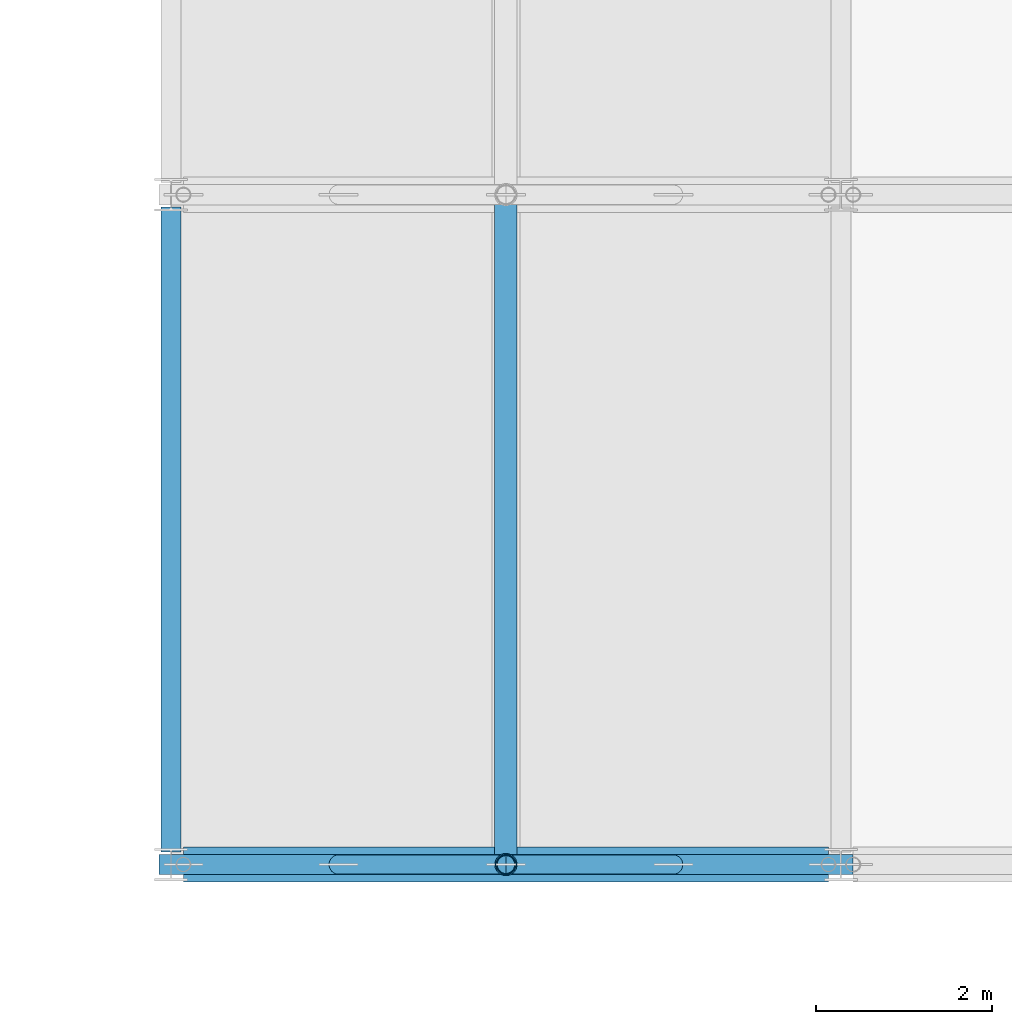
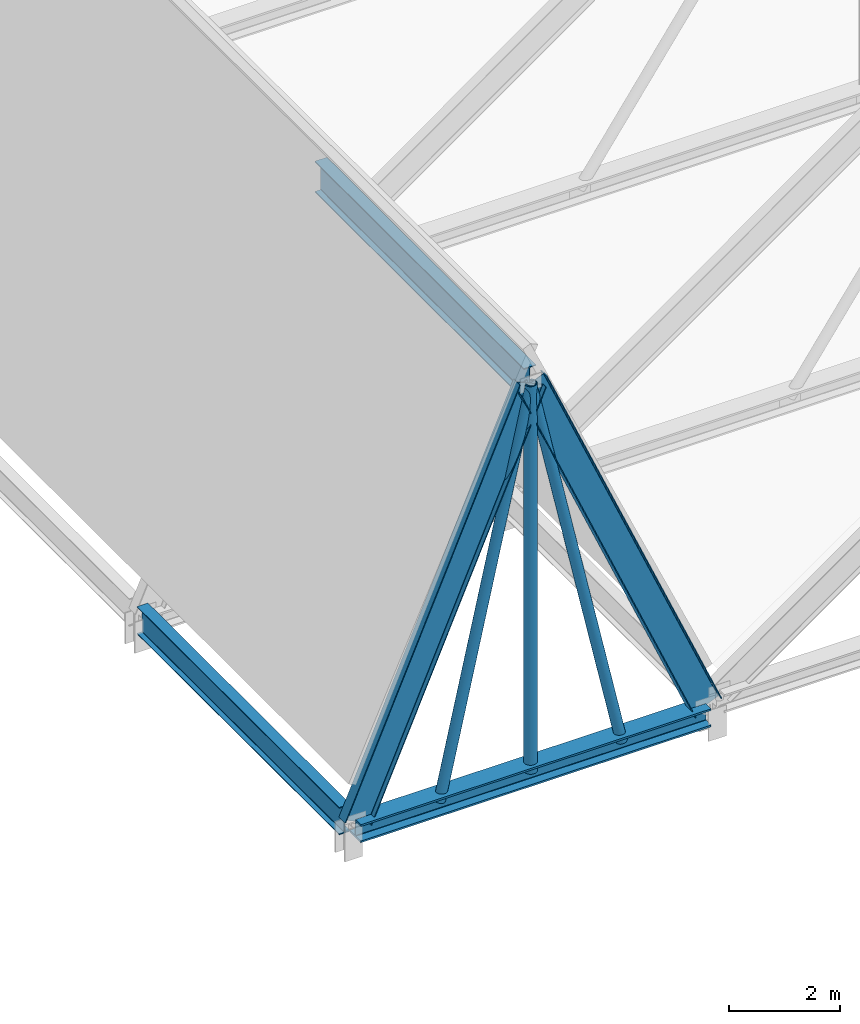
# One storey, part 43 of 100: 4 beams, 4 members.
"""IFC4 building model written with IfcOpenShell, lengths in metres."""

import ifcopenshell
import ifcopenshell.guid

model = None  # the IFC model being written
_history = None  # IfcOwnerHistory: only IFC2X3 demands one
_inside = {}  # id of a spatial element -> (the spatial element, [elements in it])
_under = {}  # id of a project, library or spatial element -> (it, [spatial elements below it])
_declared = {}  # id of a project -> (the project, [libraries it declares])
_typed = {}  # id of a type object -> (the type object, [elements of that type])
_made_of = {}  # id of a material, layer set ... -> (it, [elements and type objects made of it])


def new_model(schema):
    """Start an empty IFC model of exactly this schema.

    Asked for "IFC4X3", IfcOpenShell would pick the latest addendum, in which some entities
    have other attributes; the version numbers below select the first issue.
    IFC2X3 requires an IfcOwnerHistory on every rooted entity: one is made here for all.
    """
    global model, _history
    if schema == "IFC4X3":
        model = ifcopenshell.file(schema_version=(4, 3, 0, 0))
    else:
        model = ifcopenshell.file(schema=schema)
    _inside.clear()
    _under.clear()
    _declared.clear()
    _typed.clear()
    _made_of.clear()
    _history = None
    if model.schema == "IFC2X3":
        org = make("IfcOrganization", Name="unknown")
        user = make(
            "IfcPersonAndOrganization",
            ThePerson=make("IfcPerson", FamilyName="unknown"),
            TheOrganization=org,
        )
        app = make(
            "IfcApplication",
            ApplicationDeveloper=org,
            Version="unknown",
            ApplicationFullName="unknown",
            ApplicationIdentifier="unknown",
        )
        _history = make(
            "IfcOwnerHistory",
            OwningUser=user,
            OwningApplication=app,
            ChangeAction="ADDED",
            CreationDate=0,
        )
    return model


def make(cls, **values):
    """One entity of the class cls with the attributes given. An attribute that is None is left unset."""
    return model.create_entity(
        cls, **{name: value for name, value in values.items() if value is not None}
    )


def rooted(cls, **values):
    """An entity with a GlobalId (a new one), such as an element, a storey or a relation."""
    return make(cls, GlobalId=ifcopenshell.guid.new(), OwnerHistory=_history, **values)


def si_unit(unit_type, name, prefix=None):
    """IfcSIUnit, for example si_unit("LENGTHUNIT", "METRE", prefix="MILLI")."""
    return make("IfcSIUnit", UnitType=unit_type, Prefix=prefix, Name=name)


def assignment(units):
    """IfcUnitAssignment: the units of a project."""
    return None if units is None else make("IfcUnitAssignment", Units=units)


def point(xyz):
    """IfcCartesianPoint."""
    return None if xyz is None else make("IfcCartesianPoint", Coordinates=xyz)


def direction(xyz):
    """IfcDirection."""
    return None if xyz is None else make("IfcDirection", DirectionRatios=xyz)


def frame(location, z_axis=None, x_axis=None):
    """IfcAxis2Placement3D, a coordinate frame: its origin and axes. An axis left out is left unset."""
    return make(
        "IfcAxis2Placement3D",
        Location=point(location),
        Axis=direction(z_axis),
        RefDirection=direction(x_axis),
    )


def frame_2d(location, x_axis=None):
    """IfcAxis2Placement2D, a coordinate frame in the plane: its origin and x axis."""
    return make(
        "IfcAxis2Placement2D", Location=point(location), RefDirection=direction(x_axis)
    )


def origin():
    """The frame at (0, 0, 0) with its axes left unset."""
    return frame((0.0, 0.0, 0.0))


def origin_2d():
    """The frame at (0, 0) in the plane with its x axis left unset."""
    return frame_2d((0.0, 0.0))


def place(relative_to, where):
    """IfcLocalPlacement: puts the frame where relative to a parent placement (None: the world)."""
    return make(
        "IfcLocalPlacement", PlacementRelTo=relative_to, RelativePlacement=where
    )


def context(
    kind, dimensions, precision=None, world=None, true_north=None, identifier=None
):
    """IfcGeometricRepresentationContext, for example the 3D "Model" context."""
    return make(
        "IfcGeometricRepresentationContext",
        ContextIdentifier=identifier,
        ContextType=kind,
        CoordinateSpaceDimension=dimensions,
        Precision=precision,
        WorldCoordinateSystem=world,
        TrueNorth=true_north,
    )


def subcontext(parent, identifier, kind, view, scale=None):
    """IfcGeometricRepresentationSubContext, for example "Body" below "Model"."""
    return make(
        "IfcGeometricRepresentationSubContext",
        ContextIdentifier=identifier,
        ContextType=kind,
        ParentContext=parent,
        TargetScale=scale,
        TargetView=view,
    )


def project(units=None, contexts=None):
    """IfcProject with its units and contexts."""
    return rooted(
        "IfcProject",
        Name="project",
        RepresentationContexts=contexts,
        UnitsInContext=assignment(units),
    )


def spatial(cls, under=None, at=None, **own):
    """A site, building, storey or space (cls), placed at a placement, below another one or the project."""
    s = rooted(cls, ObjectPlacement=at, **own)
    if under is not None:
        _under.setdefault(under.id(), (under, []))[1].append(s)
    return s


def profile(cls, at=None, kind="AREA", **sizes):
    """A parametric profile (cls). Its sizes go by their IFC names, for example OverallWidth=200.0."""
    return make(cls, ProfileType=kind, Position=at, **sizes)


def hollow_circle(**sizes):
    """IfcCircleHollowProfileDef."""
    return profile("IfcCircleHollowProfileDef", **sizes)


def i_section(**sizes):
    """IfcIShapeProfileDef."""
    return profile("IfcIShapeProfileDef", **sizes)


def extrude(swept, where, along, depth):
    """IfcExtrudedAreaSolid: the profile swept, set in the frame where, extruded along a direction by depth."""
    return make(
        "IfcExtrudedAreaSolid",
        SweptArea=swept,
        Position=where,
        ExtrudedDirection=direction(along),
        Depth=depth,
    )


def shape(context_of_items, identifier, shape_type, items):
    """IfcShapeRepresentation: the items that make up one representation, for example the "Body"."""
    return make(
        "IfcShapeRepresentation",
        ContextOfItems=context_of_items,
        RepresentationIdentifier=identifier,
        RepresentationType=shape_type,
        Items=items,
    )


def material(Name=None, Category=None):
    """IfcMaterial."""
    return make("IfcMaterial", Name=Name, Category=Category)


def material_profile(
    of_material, cross_section, Name=None, Category=None, Priority=None
):
    """IfcMaterialProfile: a cross section and its material."""
    return make(
        "IfcMaterialProfile",
        Name=Name,
        Material=of_material,
        Profile=cross_section,
        Priority=Priority,
        Category=Category,
    )


def profile_set(profiles, Name=None, composite=None):
    """IfcMaterialProfileSet."""
    return make(
        "IfcMaterialProfileSet",
        Name=Name,
        MaterialProfiles=profiles,
        CompositeProfile=composite,
    )


def made_of(thing, what):
    """Note that an element or type object is made of a material, layer set ...; save() writes the relation."""
    if what is not None:
        _made_of.setdefault(what.id(), (what, []))[1].append(thing)
    return thing


def type_object(cls, material=None, **own):
    """A type object (cls), such as IfcWallType, which elements share."""
    return made_of(rooted(cls, **own), material)


def element(
    cls,
    number,
    at=None,
    inside=None,
    cuts=None,
    type_object=None,
    material=None,
    context=None,
    identifier="Body",
    shape_type=None,
    held_by="IfcProductDefinitionShape",
    body=None,
    shapes=None,
    **own,
):
    """One element of the class cls, such as IfcWall. Its Tag is "e" and its number.

    at: its placement. inside: the storey or other place that contains it. cuts: it is an
    opening in that element (IfcRelVoidsElement). A single representation is given by context,
    identifier, shape_type and body (its items); several are given by shapes. held_by: the class
    of the entity that holds the representations. save() writes the other relations.
    """
    e = rooted(cls, Tag="e%d" % number, ObjectPlacement=at, **own)
    if body is not None:
        shapes = [shape(context, identifier, shape_type, body)]
    if shapes is not None:
        e.Representation = make(held_by, Representations=shapes)
    if inside is not None:
        _inside.setdefault(inside.id(), (inside, []))[1].append(e)
    if cuts is not None:
        rooted(
            "IfcRelVoidsElement", RelatingBuildingElement=cuts, RelatedOpeningElement=e
        )
    if type_object is not None:
        _typed.setdefault(type_object.id(), (type_object, []))[1].append(e)
    return made_of(e, material)


def aggregate(whole, parts):
    """IfcRelAggregates: a whole, such as a stair, and the parts it consists of."""
    return rooted("IfcRelAggregates", RelatingObject=whole, RelatedObjects=parts)


def save(model, path):
    """Write the relations noted so far, then the file.

    IfcRelAggregates (storeys below a building ...), IfcRelContainedInSpatialStructure (elements
    in a storey), IfcRelDefinesByType, IfcRelAssociatesMaterial and IfcRelDeclares: one each for
    every whole, place, type object, material and project.
    """
    for whole, parts in _under.values():
        aggregate(whole, parts)
    for where, things in _inside.values():
        rooted(
            "IfcRelContainedInSpatialStructure",
            RelatedElements=things,
            RelatingStructure=where,
        )
    for kind, things in _typed.values():
        rooted("IfcRelDefinesByType", RelatedObjects=things, RelatingType=kind)
    for what, things in _made_of.values():
        rooted("IfcRelAssociatesMaterial", RelatedObjects=things, RelatingMaterial=what)
    for by, libraries in _declared.values():
        rooted("IfcRelDeclares", RelatingContext=by, RelatedDefinitions=libraries)
    model.write(path)


model = new_model("IFC4")

# Units and contexts
model_context = context("Model", 3, precision=1e-05, world=origin(), true_north=direction((0.0, 1.0)))
body_context = subcontext(model_context, "Body", "Model", "MODEL_VIEW")
ifc_project = project(units=[si_unit("LENGTHUNIT", "METRE"), si_unit("AREAUNIT", "SQUARE_METRE"), si_unit("VOLUMEUNIT", "CUBIC_METRE"), si_unit("PLANEANGLEUNIT", "RADIAN"), si_unit("MASSUNIT", "GRAM", prefix="KILO")], contexts=[model_context])

# Site, building, storey
site_placement = place(None, origin())
site = spatial("IfcSite", under=ifc_project, at=site_placement, CompositionType="ELEMENT")
building_placement = place(site_placement, origin())
building = spatial("IfcBuilding", under=site, at=building_placement, Name="Zulena Civic Courthouse", CompositionType="ELEMENT")
storey_placement = place(building_placement, frame((0.0, 0.0, 20.39990234375)))
storey = spatial("IfcBuildingStorey", under=building, at=storey_placement, Name="L04", CompositionType="ELEMENT", Elevation=20.39990234375)

# Member
ifc_material_1 = material(Name="Steel ASTM A992 Grade 50", Category="steel")
ifc_material_profile_1 = material_profile(ifc_material_1, i_section(OverallWidth=0.40087890625, OverallDepth=0.39892578125, WebThickness=0.02490234375, FlangeThickness=0.03955078125, FilletRadius=0.01513671875, at=origin_2d()), Name="W14X211")
ifc_profile_set_1 = profile_set([ifc_material_profile_1], Name="Steel ASTM A992 Grade 50")
member_type_1 = type_object("IfcMemberType", Name="Chord_W14X211", PredefinedType="CHORD", material=ifc_profile_set_1)
member_1_placement = place(storey_placement, frame((124.5400390625, 0.0, 0.325439453125), z_axis=(1.0, 0.0, 0.0), x_axis=(0.0, 1.0, 0.0)))
element("IfcMember", 1, at=member_1_placement, inside=storey, type_object=member_type_1, Name="mem:fold:tie:05:0.0", PredefinedType="CHORD", context=body_context, shape_type="SweptSolid", body=[
    extrude(i_section(OverallWidth=0.40087890625, OverallDepth=0.39892578125, WebThickness=0.02490234375, FlangeThickness=0.03955078125, FilletRadius=0.01513671875, at=origin_2d()), origin(), (0.0, 0.0, 1.0), 7.320068359375),
])

# Beams
ifc_material_profile_2 = material_profile(ifc_material_1, i_section(OverallWidth=0.22802734375, OverallDepth=0.60693359375, WebThickness=0.01123046875, FlangeThickness=0.017333984375, FilletRadius=0.0126953125, at=origin_2d()), Name="W24X76")
ifc_profile_set_2 = profile_set([ifc_material_profile_2], Name="Steel ASTM A992 Grade 50")
beam_type_1 = type_object("IfcBeamType", Name="RoofRafter_W24X76", PredefinedType="BEAM", material=ifc_profile_set_2)
for number, where, z_axis, x_axis, name in (
    (2, (124.5400390625, 0.0, 0.485595703125), (0.398521406617, 0.0, 0.917159031176), (0.0, 1.0, 0.0), "beam:fold:rafW:05:0.0"),
    (3, (128.2099609375, 0.0, 8.885498046875), (0.398543829572, 0.0, -0.91714928769), (0.0, 1.0, 0.0), "beam:fold:rafE:05:0.0"),
):
    element("IfcBeam", number, at=place(storey_placement, frame(where, z_axis=z_axis, x_axis=x_axis)), inside=storey, type_object=beam_type_1, Name=name, PredefinedType="BEAM", context=body_context, shape_type="SweptSolid", body=[
        extrude(i_section(OverallWidth=0.22802734375, OverallDepth=0.60693359375, WebThickness=0.01123046875, FlangeThickness=0.017333984375, FilletRadius=0.0126953125, at=origin_2d()), origin(), (0.0, 0.0, 1.0), 9.15869140625),
    ])
beam_1_placement = place(storey_placement, frame((124.39990234375, 0.139892578125, 0.485595703125), z_axis=(0.0, 1.0, 0.0), x_axis=(-1.0, 0.0, 0.0)))
element("IfcBeam", 4, at=beam_1_placement, inside=storey, type_object=beam_type_1, Name="beam:fold:val:L04:124.4:0.0", PredefinedType="BEAM", context=body_context, shape_type="SweptSolid", body=[
    extrude(i_section(OverallWidth=0.22802734375, OverallDepth=0.60693359375, WebThickness=0.01123046875, FlangeThickness=0.017333984375, FilletRadius=0.0126953125, at=origin_2d()), origin(), (0.0, 0.0, 1.0), 7.320068359375),
])
ifc_material_profile_3 = material_profile(ifc_material_1, i_section(OverallWidth=0.25390625, OverallDepth=0.68798828125, WebThickness=0.01318359375, FlangeThickness=0.02099609375, FilletRadius=0.0166015625, at=origin_2d()), Name="W27X102")
ifc_profile_set_3 = profile_set([ifc_material_profile_3], Name="Steel ASTM A992 Grade 50")
beam_type_2 = type_object("IfcBeamType", Name="RoofRafter_W27X102", PredefinedType="BEAM", material=ifc_profile_set_3)
beam_2_placement = place(storey_placement, frame((128.199951171875, 0.02001953125, 8.885498046875), z_axis=(0.0, 1.0, 0.0), x_axis=(-1.0, 0.0, 0.0)))
element("IfcBeam", 5, at=beam_2_placement, inside=storey, type_object=beam_type_2, Name="beam:fold:ridge:05:0.0", PredefinedType="BEAM", context=body_context, shape_type="SweptSolid", body=[
    extrude(i_section(OverallWidth=0.25390625, OverallDepth=0.68798828125, WebThickness=0.01318359375, FlangeThickness=0.02099609375, FilletRadius=0.0166015625, at=origin_2d()), origin(), (0.0, 0.0, 1.0), 7.56005859375),
])

# Members
ifc_material_2 = material(Name="Steel ASTM A500 Grade C", Category="steel")
ifc_material_profile_4 = material_profile(ifc_material_2, hollow_circle(Radius=0.126953125, WallThickness=0.01171875, at=origin_2d()), Name="HSS10.000X0.500")
ifc_profile_set_4 = profile_set([ifc_material_profile_4], Name="Steel ASTM A500 Grade C")
member_type_2 = type_object("IfcMemberType", Name="RoofWeb_CHS10", PredefinedType="USERDEFINED", material=ifc_profile_set_4)
member_2_placement = place(storey_placement, frame((128.199951171875, 0.0, 0.325439453125), z_axis=(0.0, 0.0, 1.0), x_axis=(1.0, 0.0, 0.0)))
element("IfcMember", 6, at=member_2_placement, inside=storey, type_object=member_type_2, Name="mem:fold:king:05:0.0", ObjectType="ROOF TRUSS", PredefinedType="USERDEFINED", context=body_context, shape_type="SweptSolid", body=[
    extrude(hollow_circle(Radius=0.126953125, WallThickness=0.01171875, at=origin_2d()), origin(), (0.0, 0.0, 1.0), 8.56005859375),
])
ifc_material_profile_5 = material_profile(ifc_material_2, hollow_circle(Radius=0.109619140625, WallThickness=0.0087890625, at=origin_2d()), Name="HSS8.625X0.375")
ifc_profile_set_5 = profile_set([ifc_material_profile_5], Name="Steel ASTM A500 Grade C")
member_type_3 = type_object("IfcMemberType", Name="RoofWeb_CHS8", PredefinedType="USERDEFINED", material=ifc_profile_set_5)
for number, where, z_axis, x_axis, name in (
    (7, (126.300048828125, 0.0, 0.325439453125), (0.216676912276, 0.0, 0.976243369087), (0.0, 1.0, 0.0), "mem:fold:diagW:05:0.0"),
    (8, (130.10009765625, 0.0, 0.325439453125), (-0.216703448167, 0.0, 0.976237479076), (0.0, -1.0, 0.0), "mem:fold:diagE:05:0.0"),
):
    element("IfcMember", number, at=place(storey_placement, frame(where, z_axis=z_axis, x_axis=x_axis)), inside=storey, type_object=member_type_3, Name=name, ObjectType="ROOF TRUSS", PredefinedType="USERDEFINED", context=body_context, shape_type="SweptSolid", body=[
        extrude(hollow_circle(Radius=0.109619140625, WallThickness=0.0087890625, at=origin_2d()), origin(), (0.0, 0.0, 1.0), 8.768310546875),
    ])

save(model, "model.ifc")
